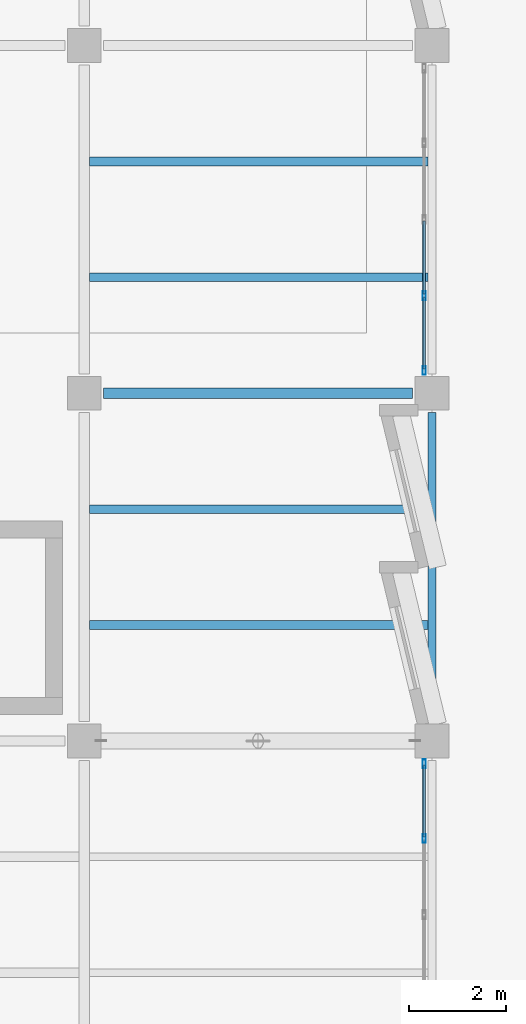
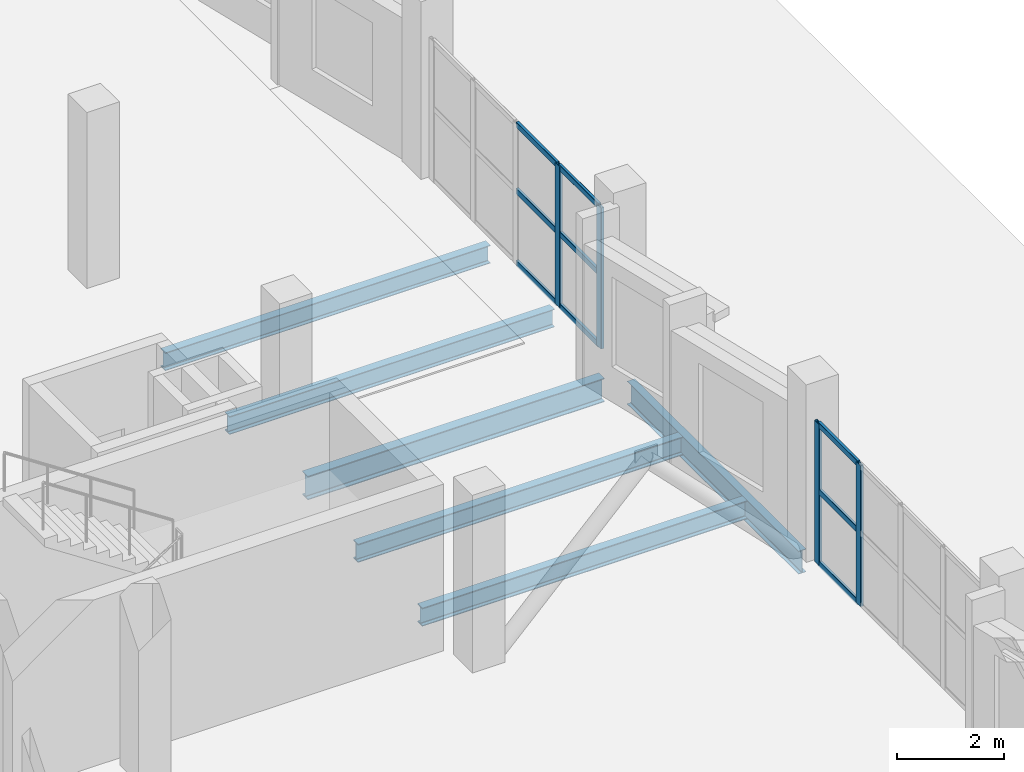
# One storey, part 15 of 38: 13 members, 6 beams, 2 elements without a shape of their own.
"""IFC4 building model written with IfcOpenShell, lengths in metres."""

from ifc_helpers import new_model, si_unit, direction, frame, origin, origin_2d, place, context, subcontext, project, spatial, hollow_rectangle, i_section, extrude, material, material_profile, profile_set, type_object, element, aggregate, save


model = new_model("IFC4")

# Units and contexts
model_context = context("Model", 3, precision=1e-05, world=origin(), true_north=direction((0.0, 1.0)))
body_context = subcontext(model_context, "Body", "Model", "MODEL_VIEW")
ifc_project = project(units=[si_unit("LENGTHUNIT", "METRE"), si_unit("AREAUNIT", "SQUARE_METRE"), si_unit("VOLUMEUNIT", "CUBIC_METRE"), si_unit("PLANEANGLEUNIT", "RADIAN"), si_unit("MASSUNIT", "GRAM", prefix="KILO")], contexts=[model_context])

# Site, building, storey
site_placement = place(None, origin())
site = spatial("IfcSite", under=ifc_project, at=site_placement, CompositionType="ELEMENT")
building_placement = place(site_placement, origin())
building = spatial("IfcBuilding", under=site, at=building_placement, Name="Kalmorath City Hall", CompositionType="ELEMENT")
storey_placement = place(building_placement, frame((0.0, 0.0, 18.89990234375)))
storey = spatial("IfcBuildingStorey", under=building, at=storey_placement, Name="L04", CompositionType="ELEMENT", Elevation=18.89990234375)

# Curtain wall, members
ifc_material_1 = material(Name="Anodised aluminium and laminated glass", Category="aluminium")
curtain_wall_type = type_object("IfcCurtainWallType", Name="Unitised hurricane curtain wall 6320x3216 M1750", PredefinedType="NOTDEFINED", material=ifc_material_1)
curtain_wall_1_placement = place(storey_placement, origin())
curtain_wall_1 = element("IfcCurtainWall", 1, at=curtain_wall_1_placement, inside=storey, type_object=curtain_wall_type, Name="L04 curtain wall CW-63X32M18 #166", PredefinedType="NOTDEFINED")
ifc_material_2 = material(Name="Anodised aluminium framing", Category="aluminium")
ifc_material_profile_1 = material_profile(ifc_material_2, hollow_rectangle(XDim=0.06494140625, YDim=0.179931640625, WallThickness=0.00390625, InnerFilletRadius=0.00390625, OuterFilletRadius=0.008056640625, at=origin_2d()), Name="ALU-MUL-180X65X4")
ifc_profile_set_1 = profile_set([ifc_material_profile_1], Name="Anodised aluminium framing")
member_type_1 = type_object("IfcMemberType", Name="Curtain-wall courtyard mullion 180x65", PredefinedType="MULLION", material=ifc_profile_set_1)
member_1_placement = place(storey_placement, frame((21.43994140625, 59.6201171875, 0.0), z_axis=(0.0, 0.0, 1.0), x_axis=(1.0, 0.0, 0.0)))
member_1 = element("IfcMember", 2, at=member_1_placement, type_object=member_type_1, Name="CW-63X32M18 mullion 4", PredefinedType="MULLION", context=body_context, shape_type="SweptSolid", body=[
    extrude(hollow_rectangle(XDim=0.06494140625, YDim=0.179931640625, WallThickness=0.00390625, InnerFilletRadius=0.00390625, OuterFilletRadius=0.008056640625, at=origin_2d()), origin(), (0.0, 0.0, 1.0), 3.216064453125),
])
member_2_placement = place(storey_placement, frame((21.43994140625, 58.072509765625, 0.0), z_axis=(0.0, 0.0, 1.0), x_axis=(1.0, 0.0, 0.0)))
member_2 = element("IfcMember", 3, at=member_2_placement, type_object=member_type_1, Name="CW-63X32M18 mullion 5", PredefinedType="MULLION", context=body_context, shape_type="SweptSolid", body=[
    extrude(hollow_rectangle(XDim=0.06494140625, YDim=0.179931640625, WallThickness=0.00390625, InnerFilletRadius=0.00390625, OuterFilletRadius=0.008056640625, at=origin_2d()), origin(), (0.0, 0.0, 1.0), 3.216064453125),
])

curtain_wall_2_placement = place(storey_placement, origin())
curtain_wall_2 = element("IfcCurtainWall", 4, at=curtain_wall_2_placement, inside=storey, type_object=curtain_wall_type, Name="L04 curtain wall CW-63X32M18 #167", PredefinedType="NOTDEFINED")
member_3_placement = place(storey_placement, frame((21.43994140625, 49.927490234375, 0.0), z_axis=(0.0, 0.0, 1.0), x_axis=(1.0, 0.0, 0.0)))
member_3 = element("IfcMember", 5, at=member_3_placement, type_object=member_type_1, Name="CW-63X32M18 mullion 1", PredefinedType="MULLION", context=body_context, shape_type="SweptSolid", body=[
    extrude(hollow_rectangle(XDim=0.06494140625, YDim=0.179931640625, WallThickness=0.00390625, InnerFilletRadius=0.00390625, OuterFilletRadius=0.008056640625, at=origin_2d()), origin(), (0.0, 0.0, 1.0), 3.216064453125),
])
member_4_placement = place(storey_placement, frame((21.43994140625, 48.3798828125, 0.0), z_axis=(0.0, 0.0, 1.0), x_axis=(1.0, 0.0, 0.0)))
member_4 = element("IfcMember", 6, at=member_4_placement, type_object=member_type_1, Name="CW-63X32M18 mullion 2", PredefinedType="MULLION", context=body_context, shape_type="SweptSolid", body=[
    extrude(hollow_rectangle(XDim=0.06494140625, YDim=0.179931640625, WallThickness=0.00390625, InnerFilletRadius=0.00390625, OuterFilletRadius=0.008056640625, at=origin_2d()), origin(), (0.0, 0.0, 1.0), 3.216064453125),
])

# Member
ifc_material_3 = material(Name="Anodised aluminium framing", Category="aluminium")
ifc_material_profile_2 = material_profile(ifc_material_3, hollow_rectangle(XDim=0.06005859375, YDim=0.1298828125, WallThickness=0.00341796875, InnerFilletRadius=0.00341796875, OuterFilletRadius=0.007080078125, at=origin_2d()), Name="ALU-TRN-130X60X3.5")
ifc_profile_set_2 = profile_set([ifc_material_profile_2], Name="Anodised aluminium framing")
member_type_2 = type_object("IfcMemberType", Name="Curtain-wall courtyard transom 130x60", PredefinedType="USERDEFINED", material=ifc_profile_set_2)
member_5_placement = place(storey_placement, frame((21.43994140625, 61.16748046875, 0.030029296875), z_axis=(0.0, -1.0, 0.0), x_axis=(1.0, 0.0, 0.0)))
member_5 = element("IfcMember", 7, at=member_5_placement, type_object=member_type_2, Name="CW-63X32M18 transom 3.1", ObjectType="TRANSOM", PredefinedType="USERDEFINED", context=body_context, shape_type="SweptSolid", body=[
    extrude(hollow_rectangle(XDim=0.06005859375, YDim=0.1298828125, WallThickness=0.00341796875, InnerFilletRadius=0.00341796875, OuterFilletRadius=0.007080078125, at=origin_2d()), origin(), (0.0, 0.0, 1.0), 1.514892578125),
])

member_6_placement = place(storey_placement, frame((21.43994140625, 61.16748046875, 1.672119140625), z_axis=(0.0, -1.0, 0.0), x_axis=(1.0, 0.0, 0.0)))
member_6 = element("IfcMember", 8, at=member_6_placement, type_object=member_type_2, Name="CW-63X32M18 transom 3.2", ObjectType="TRANSOM", PredefinedType="USERDEFINED", context=body_context, shape_type="SweptSolid", body=[
    extrude(hollow_rectangle(XDim=0.06005859375, YDim=0.1298828125, WallThickness=0.00341796875, InnerFilletRadius=0.00341796875, OuterFilletRadius=0.007080078125, at=origin_2d()), origin(), (0.0, 0.0, 1.0), 1.514892578125),
])

member_7_placement = place(storey_placement, frame((21.43994140625, 61.16748046875, 3.18603515625), z_axis=(0.0, -1.0, 0.0), x_axis=(1.0, 0.0, 0.0)))
member_7 = element("IfcMember", 9, at=member_7_placement, type_object=member_type_2, Name="CW-63X32M18 transom 3.3", ObjectType="TRANSOM", PredefinedType="USERDEFINED", context=body_context, shape_type="SweptSolid", body=[
    extrude(hollow_rectangle(XDim=0.06005859375, YDim=0.1298828125, WallThickness=0.00341796875, InnerFilletRadius=0.00341796875, OuterFilletRadius=0.007080078125, at=origin_2d()), origin(), (0.0, 0.0, 1.0), 1.514892578125),
])

member_8_placement = place(storey_placement, frame((21.43994140625, 59.58740234375, 0.030029296875), z_axis=(0.0, -1.0, 0.0), x_axis=(1.0, 0.0, 0.0)))
member_8 = element("IfcMember", 10, at=member_8_placement, type_object=member_type_2, Name="CW-63X32M18 transom 4.1", ObjectType="TRANSOM", PredefinedType="USERDEFINED", context=body_context, shape_type="SweptSolid", body=[
    extrude(hollow_rectangle(XDim=0.06005859375, YDim=0.1298828125, WallThickness=0.00341796875, InnerFilletRadius=0.00341796875, OuterFilletRadius=0.007080078125, at=origin_2d()), origin(), (0.0, 0.0, 1.0), 1.482421875),
])

member_9_placement = place(storey_placement, frame((21.43994140625, 59.58740234375, 1.672119140625), z_axis=(0.0, -1.0, 0.0), x_axis=(1.0, 0.0, 0.0)))
member_9 = element("IfcMember", 11, at=member_9_placement, type_object=member_type_2, Name="CW-63X32M18 transom 4.2", ObjectType="TRANSOM", PredefinedType="USERDEFINED", context=body_context, shape_type="SweptSolid", body=[
    extrude(hollow_rectangle(XDim=0.06005859375, YDim=0.1298828125, WallThickness=0.00341796875, InnerFilletRadius=0.00341796875, OuterFilletRadius=0.007080078125, at=origin_2d()), origin(), (0.0, 0.0, 1.0), 1.482421875),
])

member_10_placement = place(storey_placement, frame((21.43994140625, 59.58740234375, 3.18603515625), z_axis=(0.0, -1.0, 0.0), x_axis=(1.0, 0.0, 0.0)))
member_10 = element("IfcMember", 12, at=member_10_placement, type_object=member_type_2, Name="CW-63X32M18 transom 4.3", ObjectType="TRANSOM", PredefinedType="USERDEFINED", context=body_context, shape_type="SweptSolid", body=[
    extrude(hollow_rectangle(XDim=0.06005859375, YDim=0.1298828125, WallThickness=0.00341796875, InnerFilletRadius=0.00341796875, OuterFilletRadius=0.007080078125, at=origin_2d()), origin(), (0.0, 0.0, 1.0), 1.482421875),
])

aggregate(curtain_wall_1, [member_1, member_2, member_5, member_6, member_7, member_8, member_9, member_10])

member_11_placement = place(storey_placement, frame((21.43994140625, 49.89501953125, 0.030029296875), z_axis=(0.0, -1.0, 0.0), x_axis=(1.0, 0.0, 0.0)))
member_11 = element("IfcMember", 13, at=member_11_placement, type_object=member_type_2, Name="CW-63X32M18 transom 1.1", ObjectType="TRANSOM", PredefinedType="USERDEFINED", context=body_context, shape_type="SweptSolid", body=[
    extrude(hollow_rectangle(XDim=0.06005859375, YDim=0.1298828125, WallThickness=0.00341796875, InnerFilletRadius=0.00341796875, OuterFilletRadius=0.007080078125, at=origin_2d()), origin(), (0.0, 0.0, 1.0), 1.482421875),
])

member_12_placement = place(storey_placement, frame((21.43994140625, 49.89501953125, 1.672119140625), z_axis=(0.0, -1.0, 0.0), x_axis=(1.0, 0.0, 0.0)))
member_12 = element("IfcMember", 14, at=member_12_placement, type_object=member_type_2, Name="CW-63X32M18 transom 1.2", ObjectType="TRANSOM", PredefinedType="USERDEFINED", context=body_context, shape_type="SweptSolid", body=[
    extrude(hollow_rectangle(XDim=0.06005859375, YDim=0.1298828125, WallThickness=0.00341796875, InnerFilletRadius=0.00341796875, OuterFilletRadius=0.007080078125, at=origin_2d()), origin(), (0.0, 0.0, 1.0), 1.482421875),
])

member_13_placement = place(storey_placement, frame((21.43994140625, 49.89501953125, 3.18603515625), z_axis=(0.0, -1.0, 0.0), x_axis=(1.0, 0.0, 0.0)))
member_13 = element("IfcMember", 15, at=member_13_placement, type_object=member_type_2, Name="CW-63X32M18 transom 1.3", ObjectType="TRANSOM", PredefinedType="USERDEFINED", context=body_context, shape_type="SweptSolid", body=[
    extrude(hollow_rectangle(XDim=0.06005859375, YDim=0.1298828125, WallThickness=0.00341796875, InnerFilletRadius=0.00341796875, OuterFilletRadius=0.007080078125, at=origin_2d()), origin(), (0.0, 0.0, 1.0), 1.482421875),
])

aggregate(curtain_wall_2, [member_3, member_4, member_11, member_12, member_13])

# Beams
ifc_material_4 = material(Name="Steel ASTM A992 Grade 50", Category="steel")
ifc_material_profile_3 = material_profile(ifc_material_4, i_section(OverallWidth=0.178955078125, OverallDepth=0.409912109375, WebThickness=0.0087890625, FlangeThickness=0.014404296875, FilletRadius=0.012939453125, at=origin_2d()), Name="W16X45")
ifc_profile_set_3 = profile_set([ifc_material_profile_3], Name="Steel ASTM A992 Grade 50")
beam_type_1 = type_object("IfcBeamType", Name="Steel composite joist W16X45", PredefinedType="JOIST", material=ifc_profile_set_3)
for number, where, z_axis, x_axis, name in (
    (16, (14.505615234375, 60.0, -0.4990234375), (1.0, 0.0, 0.0), (0.0, 1.0, 0.0), "L04 joist SJ6 3.9.1"),
    (17, (14.505615234375, 62.39990234375, -0.4990234375), (1.0, 0.0, 0.0), (0.0, 1.0, 0.0), "L04 joist SJ6 3.9.2"),
):
    element("IfcBeam", number, at=place(storey_placement, frame(where, z_axis=z_axis, x_axis=x_axis)), inside=storey, type_object=beam_type_1, Name=name, PredefinedType="JOIST", context=body_context, shape_type="SweptSolid", body=[
        extrude(i_section(OverallWidth=0.178955078125, OverallDepth=0.409912109375, WebThickness=0.0087890625, FlangeThickness=0.014404296875, FilletRadius=0.012939453125, at=origin_2d()), origin(), (0.0, 0.0, 1.0), 7.011962890625),
    ])
ifc_material_5 = material(Name="Steel ASTM A992 Grade 50", Category="steel")
ifc_material_profile_4 = material_profile(ifc_material_5, i_section(OverallWidth=0.180908203125, OverallDepth=0.4169921875, WebThickness=0.010986328125, FlangeThickness=0.018310546875, FilletRadius=0.012939453125, at=origin_2d()), Name="W16X57")
ifc_profile_set_4 = profile_set([ifc_material_profile_4], Name="Steel ASTM A992 Grade 50")
beam_type_2 = type_object("IfcBeamType", Name="Steel composite joist W16X57", PredefinedType="JOIST", material=ifc_profile_set_4)
for number, where, z_axis, x_axis, name in (
    (18, (14.505615234375, 52.800048828125, -0.50244140625), (1.0, 0.0, 0.0), (0.0, 1.0, 0.0), "L04 joist SJ5 3.8.1"),
    (19, (14.505615234375, 55.199951171875, -0.50244140625), (1.0, 0.0, 0.0), (0.0, 1.0, 0.0), "L04 joist SJ5 3.8.2"),
):
    element("IfcBeam", number, at=place(storey_placement, frame(where, z_axis=z_axis, x_axis=x_axis)), inside=storey, type_object=beam_type_2, Name=name, PredefinedType="JOIST", context=body_context, shape_type="SweptSolid", body=[
        extrude(i_section(OverallWidth=0.180908203125, OverallDepth=0.4169921875, WebThickness=0.010986328125, FlangeThickness=0.018310546875, FilletRadius=0.012939453125, at=origin_2d()), origin(), (0.0, 0.0, 1.0), 7.011962890625),
    ])
ifc_material_6 = material(Name="Steel ASTM A992 Grade 50", Category="steel")
ifc_material_profile_5 = material_profile(ifc_material_6, i_section(OverallWidth=0.2109375, OverallDepth=0.5390625, WebThickness=0.01171875, FlangeThickness=0.018798828125, FilletRadius=0.014892578125, at=origin_2d()), Name="W21X73")
ifc_profile_set_5 = profile_set([ifc_material_profile_5], Name="Steel ASTM A992 Grade 50")
beam_type_3 = type_object("IfcBeamType", Name="Steel floor beam W21X73", PredefinedType="BEAM", material=ifc_profile_set_5)
beam_1_placement = place(storey_placement, frame((14.800048828125, 57.60009765625, -0.5634765625), z_axis=(1.0, 0.0, 0.0), x_axis=(0.0, 1.0, 0.0)))
element("IfcBeam", 20, at=beam_1_placement, inside=storey, type_object=beam_type_3, Name="L04 girder SB1 X3-4/9", PredefinedType="BEAM", context=body_context, shape_type="SweptSolid", body=[
    extrude(i_section(OverallWidth=0.2109375, OverallDepth=0.5390625, WebThickness=0.01171875, FlangeThickness=0.018798828125, FilletRadius=0.014892578125, at=origin_2d()), origin(), (0.0, 0.0, 1.0), 6.39990234375),
])
ifc_material_7 = material(Name="Steel ASTM A992 Grade 50", Category="steel")
ifc_material_profile_6 = material_profile(ifc_material_7, i_section(OverallWidth=0.1650390625, OverallDepth=0.52490234375, WebThickness=0.0087890625, FlangeThickness=0.011474609375, FilletRadius=0.014892578125, at=origin_2d()), Name="W21X44")
ifc_profile_set_6 = profile_set([ifc_material_profile_6], Name="Steel ASTM A992 Grade 50")
beam_type_4 = type_object("IfcBeamType", Name="Steel spandrel beam W21X44", PredefinedType="SPANDREL", material=ifc_profile_set_6)
beam_2_placement = place(storey_placement, frame((21.60009765625, 50.800048828125, -0.556396484375), z_axis=(0.0, 1.0, 0.0), x_axis=(-1.0, 0.0, 0.0)))
element("IfcBeam", 21, at=beam_2_placement, inside=storey, type_object=beam_type_4, Name="L04 girder SB4 Y4/8-9", PredefinedType="SPANDREL", context=body_context, shape_type="SweptSolid", body=[
    extrude(i_section(OverallWidth=0.1650390625, OverallDepth=0.52490234375, WebThickness=0.0087890625, FlangeThickness=0.011474609375, FilletRadius=0.014892578125, at=origin_2d()), origin(), (0.0, 0.0, 1.0), 6.39990234375),
])

save(model, "model.ifc")
